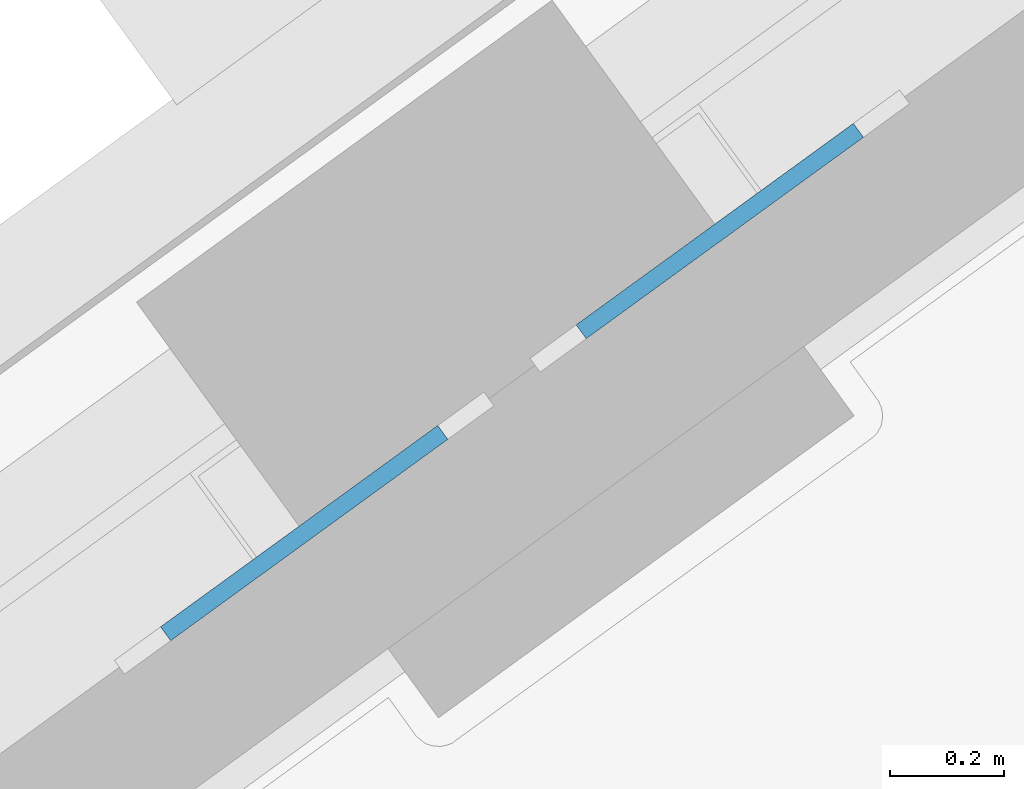
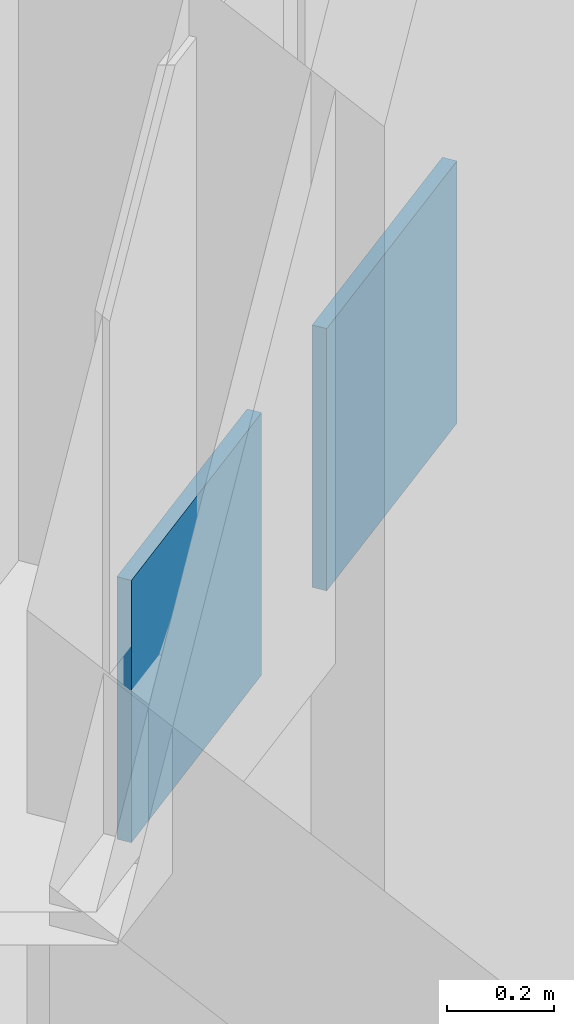
# One storey, part 7 of 16: 2 plates.
"""IFC4 building model written with IfcOpenShell, lengths in metres."""

from ifc_helpers import new_model, si_unit, direction, frame, origin, origin_2d, place, context, subcontext, project, spatial, rectangle, extrude, material, layer, layer_set, type_object, element, save


model = new_model("IFC4")

# Units and contexts
model_context = context("Model", 3, precision=1e-05, world=origin(), true_north=direction((0.0, 1.0)))
body_context = subcontext(model_context, "Body", "Model", "MODEL_VIEW")
ifc_project = project(units=[si_unit("LENGTHUNIT", "METRE"), si_unit("AREAUNIT", "SQUARE_METRE"), si_unit("VOLUMEUNIT", "CUBIC_METRE"), si_unit("PLANEANGLEUNIT", "RADIAN"), si_unit("MASSUNIT", "GRAM", prefix="KILO")], contexts=[model_context])

# Site, building, storey
site_placement = place(None, origin())
site = spatial("IfcSite", under=ifc_project, at=site_placement, CompositionType="ELEMENT")
building_placement = place(site_placement, origin())
building = spatial("IfcBuilding", under=site, at=building_placement, Name="Quipu Civic Tower", CompositionType="ELEMENT")
storey_placement = place(building_placement, frame((0.0, 0.0, 188.0)))
storey = spatial("IfcBuildingStorey", under=building, at=storey_placement, Name="L44", CompositionType="ELEMENT", Elevation=188.0)

# Plates
ifc_material = material(Name="Steel ASTM A572 Grade 50 (fy 345 MPa)", Category="steel")
ifc_layer = layer(ifc_material, 0.030029296875)
ifc_layer_set = layer_set([ifc_layer], Name="Steel ASTM A572 Grade 50 (fy 345 MPa)")
plate_type = type_object("IfcPlateType", Name="Cast in plate TD3", PredefinedType="SHEET", material=ifc_layer_set)
for number, where, z_axis, x_axis, name in (
    (1, (-39.29736328125, 27.326171875, 3.849853515625), (0.0, 0.0, 1.0), (0.80902725304, 0.587771132193, 0.0), "Cast-in plate TD3 L44 039"),
    (2, (-40.025390625, 26.797119140625, 3.849853515625), (0.0, 0.0, 1.0), (0.80902725304, 0.587771132193, 0.0), "Cast-in plate TD3 L44 042"),
):
    element("IfcPlate", number, at=place(storey_placement, frame(where, z_axis=z_axis, x_axis=x_axis)), inside=storey, type_object=plate_type, Name=name, PredefinedType="SHEET", context=body_context, shape_type="SweptSolid", body=[
        extrude(rectangle(XDim=0.60009765625, YDim=0.030029296875, at=origin_2d()), origin(), (0.0, 0.0, 1.0), 0.60009765625),
    ])

save(model, "model.ifc")
